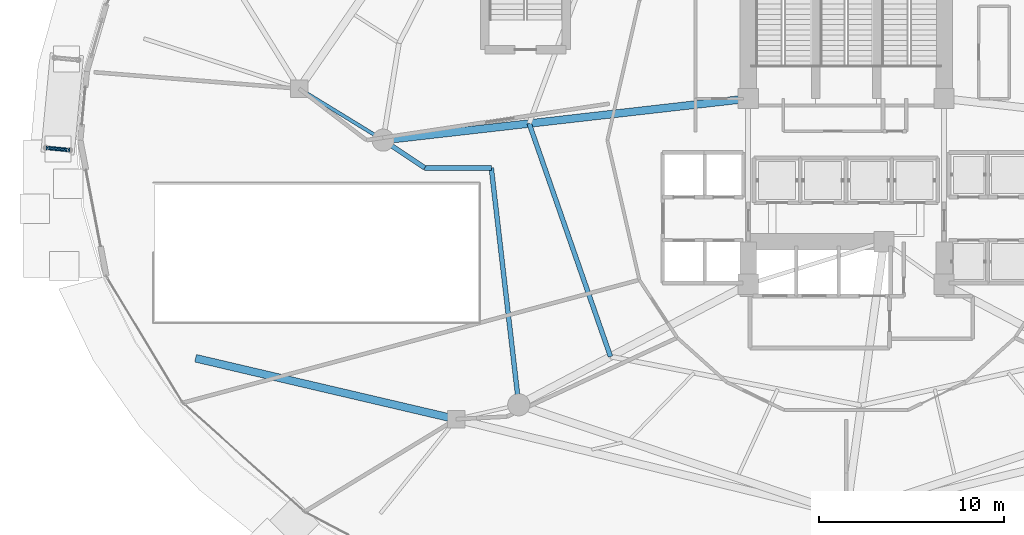
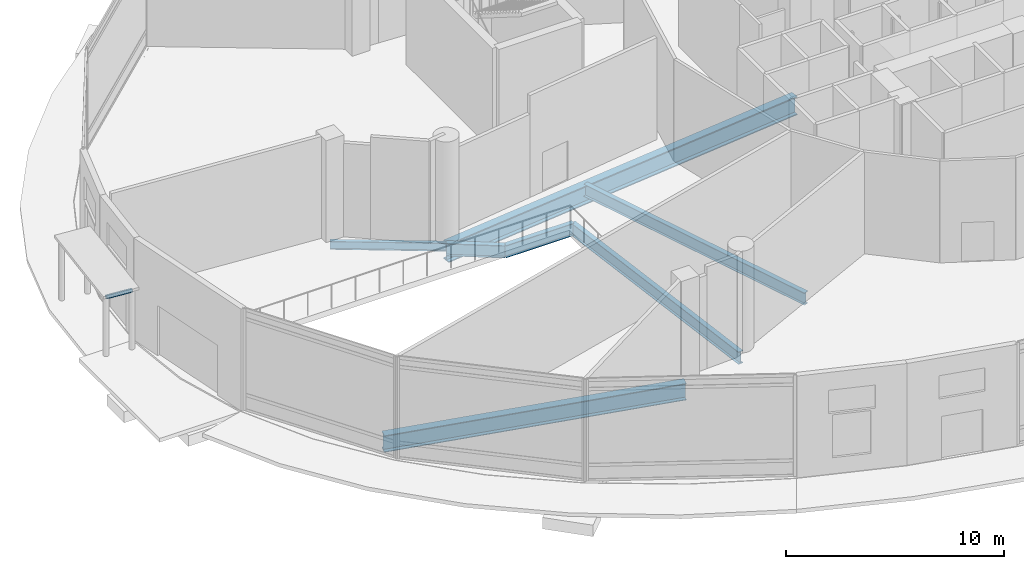
# One storey, part 11 of 40: 7 beams, 1 member.
"""IFC4 building model written with IfcOpenShell, lengths in metres."""

from ifc_helpers import new_model, si_unit, direction, frame, origin, origin_2d, place, context, subcontext, project, spatial, hollow_circle, i_section, extrude, material, material_profile, profile_set, type_object, element, save


model = new_model("IFC4")

# Units and contexts
model_context = context("Model", 3, precision=1e-05, world=origin(), true_north=direction((0.0, 1.0)))
body_context = subcontext(model_context, "Body", "Model", "MODEL_VIEW")
ifc_project = project(units=[si_unit("LENGTHUNIT", "METRE"), si_unit("AREAUNIT", "SQUARE_METRE"), si_unit("VOLUMEUNIT", "CUBIC_METRE"), si_unit("PLANEANGLEUNIT", "RADIAN"), si_unit("MASSUNIT", "GRAM", prefix="KILO")], contexts=[model_context])

# Site, building, storey
site_placement = place(None, origin())
site = spatial("IfcSite", under=ifc_project, at=site_placement, CompositionType="ELEMENT")
building_placement = place(site_placement, origin())
building = spatial("IfcBuilding", under=site, at=building_placement, Name="Nuhasar Tower", CompositionType="ELEMENT")
storey_placement = place(building_placement, origin())
storey = spatial("IfcBuildingStorey", under=building, at=storey_placement, Name="L00", CompositionType="ELEMENT", Elevation=0.0)

# Beams
ifc_material_1 = material(Name="Steel S355", Category="steel")
ifc_material_profile_1 = material_profile(ifc_material_1, i_section(OverallWidth=0.25390625, OverallDepth=0.68408203125, WebThickness=0.012451171875, FlangeThickness=0.018798828125, at=origin_2d()), Name="W27X94")
ifc_profile_set_1 = profile_set([ifc_material_profile_1], Name="Steel S355")
beam_type_1 = type_object("IfcBeamType", Name="BM-INRING-W27X94", PredefinedType="BEAM", material=ifc_profile_set_1)
beam_1_placement = place(storey_placement, frame((21.85009765625, 27.699951171875, -0.662109375), z_axis=(0.329554049858, -0.944136710558, 0.0), x_axis=(0.944136710558, 0.329554049858, 0.0)))
element("IfcBeam", 1, at=beam_1_placement, inside=storey, type_object=beam_type_1, Name="L00 Inner Header Beam 08", PredefinedType="BEAM", context=body_context, shape_type="SweptSolid", body=[
    extrude(i_section(OverallWidth=0.25390625, OverallDepth=0.68408203125, WebThickness=0.012451171875, FlangeThickness=0.018798828125, at=origin_2d()), origin(), (0.0, 0.0, 1.0), 13.35693359375),
])
ifc_material_profile_2 = material_profile(ifc_material_1, i_section(OverallWidth=0.419921875, OverallDepth=0.931884765625, WebThickness=0.021240234375, FlangeThickness=0.03662109375, at=origin_2d()), Name="W36X262")
ifc_profile_set_2 = profile_set([ifc_material_profile_2], Name="Steel S355")
beam_type_2 = type_object("IfcBeamType", Name="BM-POD-W36X262", PredefinedType="BEAM", material=ifc_profile_set_2)
beam_2_placement = place(storey_placement, frame((17.89306640625, 11.702880859375, -0.785888671875), z_axis=(-0.973707287651, 0.227802805019, 0.0), x_axis=(-0.227802805019, -0.973707287651, 0.0)))
element("IfcBeam", 2, at=beam_2_placement, inside=storey, type_object=beam_type_2, Name="L00 Substructure Cap Tie Girder 02", PredefinedType="BEAM", context=body_context, shape_type="SweptSolid", body=[
    extrude(i_section(OverallWidth=0.419921875, OverallDepth=0.931884765625, WebThickness=0.021240234375, FlangeThickness=0.03662109375, at=origin_2d()), origin(), (0.0, 0.0, 1.0), 14.4736328125),
])
ifc_material_profile_3 = material_profile(ifc_material_1, i_section(OverallWidth=0.18994140625, OverallDepth=0.45703125, WebThickness=0.009033203125, FlangeThickness=0.014404296875, at=origin_2d()), Name="W18X50")
ifc_profile_set_3 = profile_set([ifc_material_profile_3], Name="Steel S355")
beam_type_3 = type_object("IfcBeamType", Name="BM-RAD-W18X50", PredefinedType="BEAM", material=ifc_profile_set_3)
beam_3_placement = place(storey_placement, frame((13.949951171875, 26.800048828125, -0.548095703125), z_axis=(-0.852495272032, 0.522734933941, 0.0), x_axis=(-0.522734933941, -0.852495272032, 0.0)))
element("IfcBeam", 3, at=beam_3_placement, inside=storey, type_object=beam_type_3, Name="L00 Podium Radial Girder 08", PredefinedType="BEAM", context=body_context, shape_type="SweptSolid", body=[
    extrude(i_section(OverallWidth=0.18994140625, OverallDepth=0.45703125, WebThickness=0.009033203125, FlangeThickness=0.014404296875, at=origin_2d()), origin(), (0.0, 0.0, 1.0), 5.331298828125),
])
ifc_material_profile_4 = material_profile(ifc_material_1, i_section(OverallWidth=0.256103515625, OverallDepth=0.693115234375, WebThickness=0.014404296875, FlangeThickness=0.023681640625, at=origin_2d()), Name="W27X114")
ifc_profile_set_4 = profile_set([ifc_material_profile_4], Name="Steel S355")
beam_type_4 = type_object("IfcBeamType", Name="BM-RING-W27X114", PredefinedType="SPANDREL", material=ifc_profile_set_4)
beam_4_placement = place(storey_placement, frame((13.949951171875, 26.800048828125, -0.666015625), z_axis=(0.832050294338, -0.554700196225, 0.0), x_axis=(0.554700196225, 0.832050294338, 0.0)))
element("IfcBeam", 4, at=beam_4_placement, inside=storey, type_object=beam_type_4, Name="L00 Mega-Column Perimeter Ring Spandrel 08-1", PredefinedType="SPANDREL", context=body_context, shape_type="SweptSolid", body=[
    extrude(i_section(OverallWidth=0.256103515625, OverallDepth=0.693115234375, WebThickness=0.014404296875, FlangeThickness=0.023681640625, at=origin_2d()), origin(), (0.0, 0.0, 1.0), 2.7041015625),
])
beam_5_placement = place(storey_placement, frame((16.199951171875, 25.300048828125, -0.666015625), z_axis=(1.0, 0.0, 0.0), x_axis=(0.0, 1.0, 0.0)))
element("IfcBeam", 5, at=beam_5_placement, inside=storey, type_object=beam_type_4, Name="L00 Mega-Column Perimeter Ring Spandrel 08-2", PredefinedType="SPANDREL", context=body_context, shape_type="SweptSolid", body=[
    extrude(i_section(OverallWidth=0.256103515625, OverallDepth=0.693115234375, WebThickness=0.014404296875, FlangeThickness=0.023681640625, at=origin_2d()), origin(), (0.0, 0.0, 1.0), 3.60009765625),
])
beam_6_placement = place(storey_placement, frame((19.800048828125, 25.300048828125, -0.666015625), z_axis=(0.115230850391, -0.993338739362, 0.0), x_axis=(0.993338739362, 0.115230850391, 0.0)))
element("IfcBeam", 6, at=beam_6_placement, inside=storey, type_object=beam_type_4, Name="L00 Mega-Column Perimeter Ring Spandrel 08-3", PredefinedType="SPANDREL", context=body_context, shape_type="SweptSolid", body=[
    extrude(i_section(OverallWidth=0.256103515625, OverallDepth=0.693115234375, WebThickness=0.014404296875, FlangeThickness=0.023681640625, at=origin_2d()), origin(), (0.0, 0.0, 1.0), 12.905029296875),
])
ifc_material_2 = material(Name="Steel S460", Category="steel")
ifc_material_profile_5 = material_profile(ifc_material_2, i_section(OverallWidth=0.419921875, OverallDepth=1.0400390625, WebThickness=0.031005859375, FlangeThickness=0.055908203125, at=origin_2d()), Name="W40X397")
ifc_profile_set_5 = profile_set([ifc_material_profile_5], Name="Steel S460")
beam_type_5 = type_object("IfcBeamType", Name="BM-XFER-W40X397", PredefinedType="USERDEFINED", material=ifc_profile_set_5)
beam_7_placement = place(storey_placement, frame((33.699951171875, 29.050048828125, -0.840087890625), z_axis=(-0.993573147212, -0.113191877531, 0.0), x_axis=(0.113191877531, -0.993573147212, 0.0)))
element("IfcBeam", 7, at=beam_7_placement, inside=storey, type_object=beam_type_5, Name="L00 Radial Floor Girder 08", ObjectType="GIRDER", PredefinedType="USERDEFINED", context=body_context, shape_type="SweptSolid", body=[
    extrude(i_section(OverallWidth=0.419921875, OverallDepth=1.0400390625, WebThickness=0.031005859375, FlangeThickness=0.055908203125, at=origin_2d()), origin(), (0.0, 0.0, 1.0), 19.877685546875),
])

# Member
ifc_material_profile_6 = material_profile(ifc_material_1, hollow_circle(Radius=0.109619140625, WallThickness=0.0126953125, at=origin_2d()), Name="HSS219.1X12.7")
ifc_profile_set_6 = profile_set([ifc_material_profile_6], Name="Steel S355")
member_type = type_object("IfcMemberType", Name="CANOPY-RAFTER-219", PredefinedType="RAFTER", material=ifc_profile_set_6)
member_placement = place(storey_placement, frame((-3.001953125, 26.260986328125, 3.25), z_axis=(-0.995437889443, 0.095411782611, 0.0), x_axis=(-0.095411782611, -0.995437889443, 0.0)))
element("IfcMember", 8, at=member_placement, inside=storey, type_object=member_type, Name="L00 Entrance Canopy Rafter NorthWest 2", PredefinedType="RAFTER", context=body_context, shape_type="SweptSolid", body=[
    extrude(hollow_circle(Radius=0.109619140625, WallThickness=0.0126953125, at=origin_2d()), origin(), (0.0, 0.0, 1.0), 1.2998046875),
])

save(model, "model.ifc")
